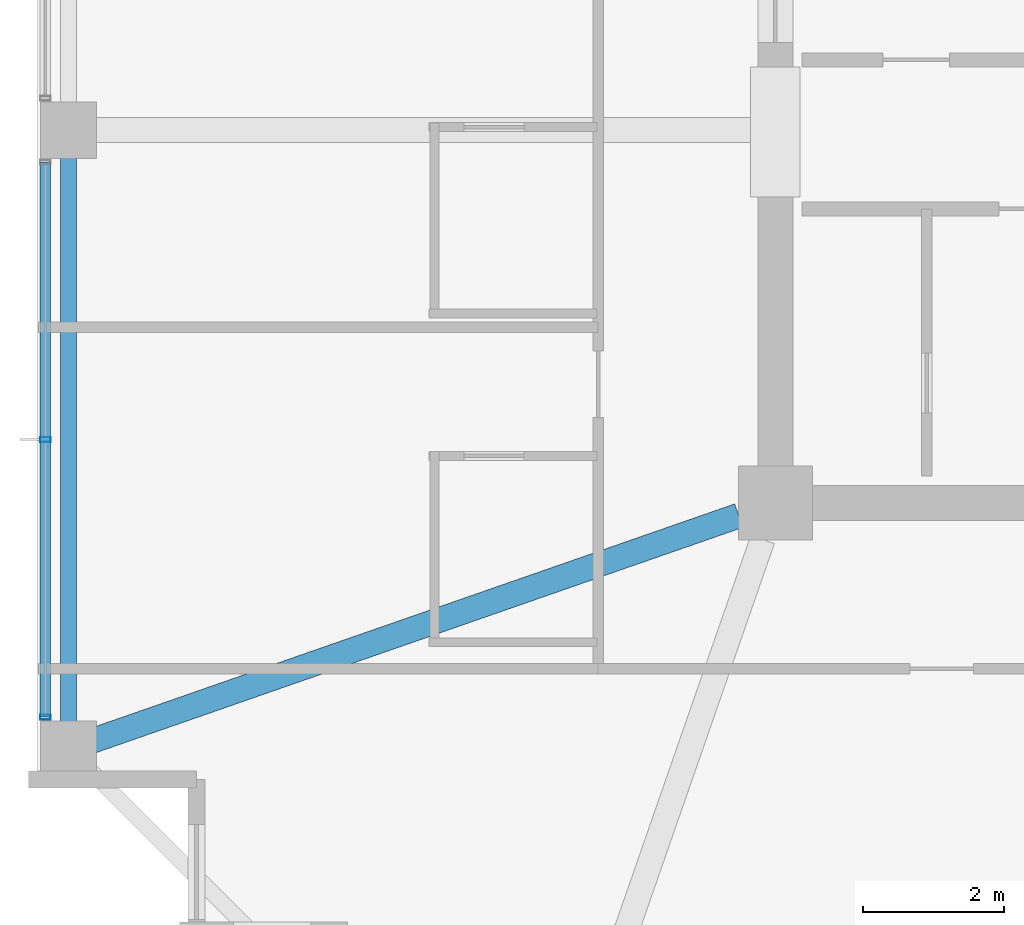
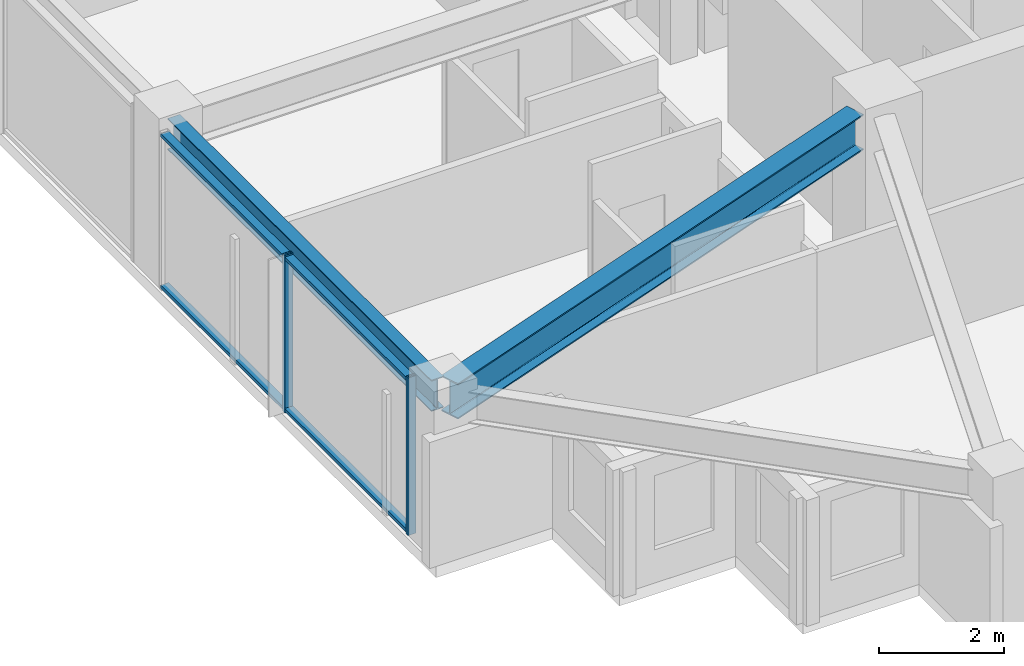
# One storey, part 4 of 36: 4 members, 2 beams, 1 element without a shape of its own.
"""IFC4 building model written with IfcOpenShell, lengths in metres."""

from ifc_helpers import new_model, si_unit, direction, frame, origin, origin_2d, place, context, subcontext, project, spatial, hollow_rectangle, i_section, extrude, material, material_profile, profile_set, type_object, element, aggregate, save


model = new_model("IFC4")

# Units and contexts
model_context = context("Model", 3, precision=1e-05, world=origin(), true_north=direction((0.0, 1.0)))
body_context = subcontext(model_context, "Body", "Model", "MODEL_VIEW")
ifc_project = project(units=[si_unit("LENGTHUNIT", "METRE"), si_unit("AREAUNIT", "SQUARE_METRE"), si_unit("VOLUMEUNIT", "CUBIC_METRE"), si_unit("PLANEANGLEUNIT", "RADIAN"), si_unit("MASSUNIT", "GRAM", prefix="KILO")], contexts=[model_context])

# Site, building, storey
site_placement = place(None, origin())
site = spatial("IfcSite", under=ifc_project, at=site_placement, CompositionType="ELEMENT")
building_placement = place(site_placement, origin())
building = spatial("IfcBuilding", under=site, at=building_placement, Name="Kolvaren Belvedere", CompositionType="ELEMENT")
storey_placement = place(building_placement, frame((0.0, 0.0, 199.800048828125)))
storey = spatial("IfcBuildingStorey", under=building, at=storey_placement, Name="L58", CompositionType="ELEMENT", Elevation=199.800048828125)

# Beams
ifc_material_1 = material(Name="Structural steel ASTM A992 Grade 50", Category="steel")
ifc_material_profile_1 = material_profile(ifc_material_1, i_section(OverallWidth=0.35498046875, OverallDepth=0.696044921875, WebThickness=0.015380859375, FlangeThickness=0.02490234375, FilletRadius=0.02197265625, at=origin_2d()), Name="W27X146")
ifc_profile_set_1 = profile_set([ifc_material_profile_1], Name="Structural steel ASTM A992 Grade 50")
beam_type_1 = type_object("IfcBeamType", Name="BM-GIRD-W27X146", PredefinedType="BEAM", material=ifc_profile_set_1)
beam_1_placement = place(storey_placement, frame((-10.41943359375, -10.080810546875, 2.73193359375), z_axis=(-0.944365399758, -0.328898147971, 0.0), x_axis=(0.328898147971, -0.944365399758, 0.0)))
element("IfcBeam", 1, at=beam_1_placement, inside=storey, type_object=beam_type_1, Name="L58 Corner Core-to-Perimeter Girder CC1-W1", PredefinedType="BEAM", context=body_context, shape_type="SweptSolid", body=[
    extrude(i_section(OverallWidth=0.35498046875, OverallDepth=0.696044921875, WebThickness=0.015380859375, FlangeThickness=0.02490234375, FilletRadius=0.02197265625, at=origin_2d()), origin(), (0.0, 0.0, 1.0), 9.931884765625),
])
ifc_material_2 = material(Name="Structural steel ASTM A992 Grade 50", Category="steel")
ifc_material_profile_2 = material_profile(ifc_material_2, i_section(OverallWidth=0.22900390625, OverallDepth=0.612060546875, WebThickness=0.011962890625, FlangeThickness=0.01953125, FilletRadius=0.01806640625, at=origin_2d()), Name="W24X84")
ifc_profile_set_2 = profile_set([ifc_material_profile_2], Name="Structural steel ASTM A992 Grade 50")
beam_type_2 = type_object("IfcBeamType", Name="BM-SPAN-W24X84", PredefinedType="SPANDREL", material=ifc_profile_set_2)
beam_2_placement = place(storey_placement, frame((-19.949951171875, -4.780029296875, 2.77392578125), z_axis=(0.0, -1.0, 0.0), x_axis=(1.0, 0.0, 0.0)))
element("IfcBeam", 2, at=beam_2_placement, inside=storey, type_object=beam_type_2, Name="L58 Perimeter Spandrel W2-W1", PredefinedType="SPANDREL", context=body_context, shape_type="SweptSolid", body=[
    extrude(i_section(OverallWidth=0.22900390625, OverallDepth=0.612060546875, WebThickness=0.011962890625, FlangeThickness=0.01953125, FilletRadius=0.01806640625, at=origin_2d()), origin(), (0.0, 0.0, 1.0), 8.43994140625),
])

# Curtain wall, members
ifc_material_3 = material(Name="Anodised pale-metal aluminium AA 6063-T6", Category="aluminium")
curtain_wall_type = type_object("IfcCurtainWallType", Name="CW-Z5-HIGH", PredefinedType="NOTDEFINED", material=ifc_material_3)
curtain_wall_placement = place(storey_placement, origin())
curtain_wall = element("IfcCurtainWall", 3, at=curtain_wall_placement, inside=storey, type_object=curtain_wall_type, Name="L58 Unitised Curtain Wall FCW-L58-W-B1", PredefinedType="NOTDEFINED")
ifc_material_4 = material(Name="Anodised pale-metal aluminium AA 6063-T6", Category="aluminium")
ifc_material_profile_3 = material_profile(ifc_material_4, hollow_rectangle(XDim=0.070068359375, YDim=0.14990234375, WallThickness=0.004150390625, at=origin_2d()), Name="ALU-MUL-150X70")
ifc_profile_set_3 = profile_set([ifc_material_profile_3], Name="Anodised pale-metal aluminium AA 6063-T6")
member_type_1 = type_object("IfcMemberType", Name="CW-MUL-150", PredefinedType="MULLION", material=ifc_profile_set_3)
member_1_placement = place(storey_placement, frame((-20.280029296875, -12.945068359375, 0.0), z_axis=(0.0, 0.0, 1.0), x_axis=(0.0, 1.0, 0.0)))
member_1 = element("IfcMember", 4, at=member_1_placement, type_object=member_type_1, Name="FCW-L58-W-B1 Unitised Mullion 1", PredefinedType="MULLION", context=body_context, shape_type="SweptSolid", body=[
    extrude(hollow_rectangle(XDim=0.070068359375, YDim=0.14990234375, WallThickness=0.004150390625, at=origin_2d()), origin(), (0.0, 0.0, 1.0), 3.079833984375),
])
member_2_placement = place(storey_placement, frame((-20.280029296875, -9.0, 0.0), z_axis=(0.0, 0.0, 1.0), x_axis=(0.0, 1.0, 0.0)))
member_2 = element("IfcMember", 5, at=member_2_placement, type_object=member_type_1, Name="FCW-L58-W-B1 Unitised Mullion 2", PredefinedType="MULLION", context=body_context, shape_type="SweptSolid", body=[
    extrude(hollow_rectangle(XDim=0.070068359375, YDim=0.14990234375, WallThickness=0.004150390625, at=origin_2d()), origin(), (0.0, 0.0, 1.0), 3.079833984375),
])
ifc_material_5 = material(Name="Anodised pale-metal aluminium AA 6063-T6", Category="aluminium")
ifc_material_profile_4 = material_profile(ifc_material_5, hollow_rectangle(XDim=0.06494140625, YDim=0.14990234375, WallThickness=0.00390625, at=origin_2d()), Name="ALU-TRN-150X65")
ifc_profile_set_4 = profile_set([ifc_material_profile_4], Name="Anodised pale-metal aluminium AA 6063-T6")
member_type_2 = type_object("IfcMemberType", Name="CW-TRN-150", PredefinedType="USERDEFINED", material=ifc_profile_set_4)
member_3_placement = place(storey_placement, frame((-20.280029296875, -12.945068359375, 0.06005859375), z_axis=(0.0, 1.0, 0.0), x_axis=(0.0, 0.0, 1.0)))
member_3 = element("IfcMember", 6, at=member_3_placement, type_object=member_type_2, Name="FCW-L58-W-B1 Sill Transom", ObjectType="TRANSOM", PredefinedType="USERDEFINED", context=body_context, shape_type="SweptSolid", body=[
    extrude(hollow_rectangle(XDim=0.06494140625, YDim=0.14990234375, WallThickness=0.00390625, at=origin_2d()), origin(), (0.0, 0.0, 1.0), 7.89013671875),
])
member_4_placement = place(storey_placement, frame((-20.280029296875, -12.945068359375, 3.02001953125), z_axis=(0.0, 1.0, 0.0), x_axis=(0.0, 0.0, 1.0)))
member_4 = element("IfcMember", 7, at=member_4_placement, type_object=member_type_2, Name="FCW-L58-W-B1 Head Transom", ObjectType="TRANSOM", PredefinedType="USERDEFINED", context=body_context, shape_type="SweptSolid", body=[
    extrude(hollow_rectangle(XDim=0.06494140625, YDim=0.14990234375, WallThickness=0.00390625, at=origin_2d()), origin(), (0.0, 0.0, 1.0), 7.89013671875),
])
aggregate(curtain_wall, [member_1, member_2, member_3, member_4])

save(model, "model.ifc")
